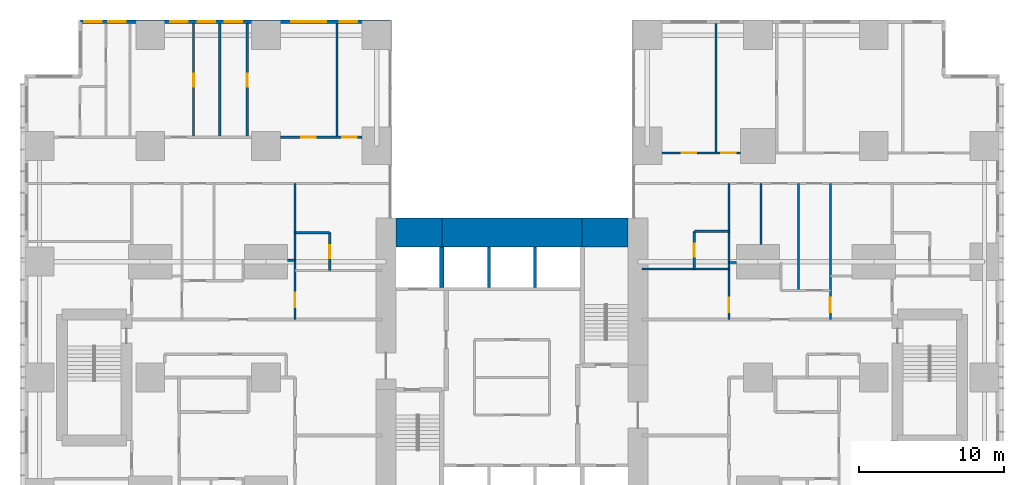
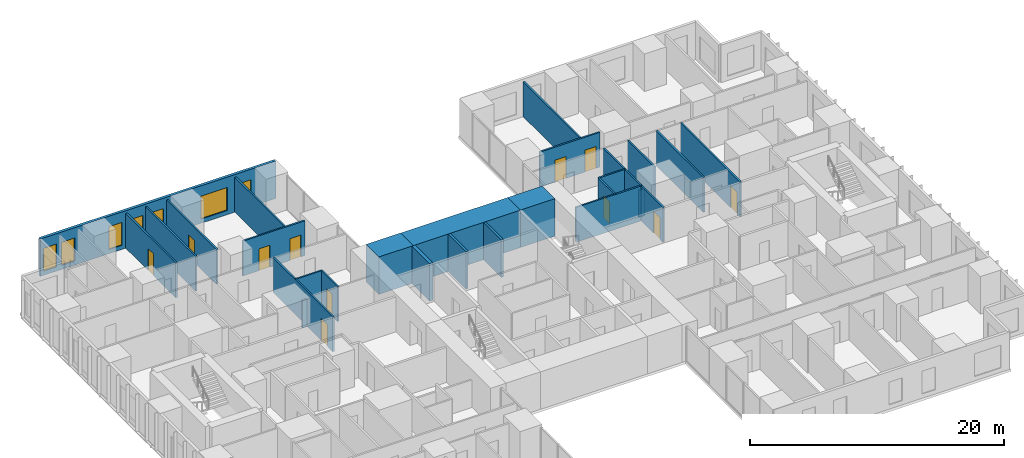
# One storey, part 17 of 20: 26 walls, 11 doors, 7 windows, 18 openings.
"""IFC4 building model written with IfcOpenShell, lengths in metres."""

from ifc_helpers import new_model, si_unit, direction, frame, frame_2d, origin, place, context, subcontext, project, spatial, rectangle, extrude, material, layer, layer_set, type_object, element, fill, save


model = new_model("IFC4")

# Units and contexts
model_context = context("Model", 3, precision=1e-05, world=origin(), true_north=direction((0.0, 1.0)))
body_context = subcontext(model_context, "Body", "Model", "MODEL_VIEW")
ifc_project = project(units=[si_unit("LENGTHUNIT", "METRE"), si_unit("AREAUNIT", "SQUARE_METRE"), si_unit("VOLUMEUNIT", "CUBIC_METRE"), si_unit("PLANEANGLEUNIT", "RADIAN"), si_unit("MASSUNIT", "GRAM", prefix="KILO")], contexts=[model_context])

# Site, building, storey
site_placement = place(None, origin())
site = spatial("IfcSite", under=ifc_project, at=site_placement, CompositionType="ELEMENT")
building_placement = place(site_placement, origin())
building = spatial("IfcBuilding", under=site, at=building_placement, Name="Cleftline Residences", CompositionType="ELEMENT")
storey_placement = place(building_placement, frame((0.0, 0.0, 117.800048828125)))
storey = spatial("IfcBuildingStorey", under=building, at=storey_placement, Name="L30", CompositionType="ELEMENT", Elevation=117.800048828125)

# Walls
ifc_material_1 = material(Name="Concrete B70", Category="concrete")
ifc_layer_1 = layer(ifc_material_1, 2.0)
ifc_layer_set_1 = layer_set([ifc_layer_1], Name="CORE WALL 2000")
wall_type_1 = type_object("IfcWallType", Name="CORE WALL 2000", PredefinedType="SHEAR", material=ifc_layer_set_1)
wall_1_placement = place(storey_placement, frame((25.0, 34.0, 0.0), z_axis=(0.0, 0.0, 1.0), x_axis=(1.0, 0.0, 0.0)))
element("IfcWall", 1, at=wall_1_placement, inside=storey, type_object=wall_type_1, Name="Core wall N1", PredefinedType="SHEAR", context=body_context, shape_type="SweptSolid", body=[
    extrude(rectangle(XDim=3.14990234375, YDim=2.0, at=frame_2d((1.574951171875, 0.0))), origin(), (0.0, 0.0, 1.0), 3.599853515625),
])
wall_2_placement = place(storey_placement, frame((28.14990234375, 34.0, 0.0), z_axis=(0.0, 0.0, 1.0), x_axis=(1.0, 0.0, 0.0)))
element("IfcWall", 2, at=wall_2_placement, inside=storey, type_object=wall_type_1, Name="Core wall N2", PredefinedType="SHEAR", context=body_context, shape_type="SweptSolid", body=[
    extrude(rectangle(XDim=9.7001953125, YDim=2.0, at=frame_2d((4.85009765625, 0.0))), origin(), (0.0, 0.0, 1.0), 3.599853515625),
])
wall_3_placement = place(storey_placement, frame((37.85009765625, 34.0, 0.0), z_axis=(0.0, 0.0, 1.0), x_axis=(1.0, 0.0, 0.0)))
element("IfcWall", 3, at=wall_3_placement, inside=storey, type_object=wall_type_1, Name="Core wall N3", PredefinedType="SHEAR", context=body_context, shape_type="SweptSolid", body=[
    extrude(rectangle(XDim=3.14990234375, YDim=2.0, at=frame_2d((1.574951171875, 0.0))), origin(), (0.0, 0.0, 1.0), 3.599853515625),
])
ifc_material_2 = material(Name="Concrete B70", Category="concrete")
ifc_layer_2 = layer(ifc_material_2, 0.300048828125)
ifc_layer_set_2 = layer_set([ifc_layer_2], Name="CORE WALL 300")
wall_type_2 = type_object("IfcWallType", Name="CORE WALL 300", PredefinedType="SHEAR", material=ifc_layer_set_2)
wall_4_placement = place(storey_placement, frame((28.14990234375, 30.199951171875, 0.0), z_axis=(0.0, 0.0, 1.0), x_axis=(0.0, 1.0, 0.0)))
element("IfcWall", 4, at=wall_4_placement, inside=storey, type_object=wall_type_2, Name="Lift shaft wall", PredefinedType="SHEAR", context=body_context, shape_type="SweptSolid", body=[
    extrude(rectangle(XDim=2.800048828125, YDim=0.300048828125, at=frame_2d((1.39990234375, 0.0))), origin(), (0.0, 0.0, 1.0), 3.599853515625),
])

# Wall, openings, windows
ifc_material_3 = material(Name="Rendered reinforced concrete blockwork", Category="masonry")
ifc_layer_3 = layer(ifc_material_3, 0.25)
ifc_layer_set_3 = layer_set([ifc_layer_3], Name="EXTERNAL WALL 250")
wall_type_3 = type_object("IfcWallType", Name="EXTERNAL WALL 250", PredefinedType="SOLIDWALL", material=ifc_layer_set_3)
wall_5_placement = place(storey_placement, frame((24.574951171875, 48.574951171875, 0.0), z_axis=(0.0, 0.0, 1.0), x_axis=(-1.0, 0.0, 0.0)))
wall_5 = element("IfcWall", 5, at=wall_5_placement, inside=storey, type_object=wall_type_3, Name="External wall", PredefinedType="SOLIDWALL", context=body_context, shape_type="SweptSolid", body=[
    extrude(rectangle(XDim=21.39990234375, YDim=0.25, at=frame_2d((10.699951171875, 0.0))), origin(), (0.0, 0.0, 1.0), 3.599853515625),
])
opening_1_placement = place(wall_5_placement, frame((2.27490234375, 0.0, 0.39990234375)))
opening_1 = element("IfcOpeningElement", 6, at=opening_1_placement, cuts=wall_5, Name="Opening W11", PredefinedType="OPENING", context=body_context, shape_type="SweptSolid", body=[
    extrude(rectangle(XDim=1.199951171875, YDim=2.199951171875, at=frame_2d((0.60009765625, 1.10009765625))), frame((0.0, 0.135009765625, 0.0), z_axis=(0.0, -1.0, 0.0), x_axis=(1.0, 0.0, 0.0)), (0.0, 0.0, 1.0), 0.27001953125),
])
opening_2_placement = place(wall_5_placement, frame((4.425048828125, 0.0, 0.39990234375)))
opening_2 = element("IfcOpeningElement", 7, at=opening_2_placement, cuts=wall_5, Name="Opening W12", PredefinedType="OPENING", context=body_context, shape_type="SweptSolid", body=[
    extrude(rectangle(XDim=2.39990234375, YDim=2.199951171875, at=frame_2d((1.199951171875, 1.10009765625))), frame((0.0, 0.135009765625, 0.0), z_axis=(0.0, -1.0, 0.0), x_axis=(1.0, 0.0, 0.0)), (0.0, 0.0, 1.0), 0.27001953125),
])
opening_3_placement = place(wall_5_placement, frame((10.22509765625, 0.0, 0.39990234375)))
opening_3 = element("IfcOpeningElement", 8, at=opening_3_placement, cuts=wall_5, Name="Opening W11", PredefinedType="OPENING", context=body_context, shape_type="SweptSolid", body=[
    extrude(rectangle(XDim=1.199951171875, YDim=2.199951171875, at=frame_2d((0.60009765625, 1.10009765625))), frame((0.0, 0.135009765625, 0.0), z_axis=(0.0, -1.0, 0.0), x_axis=(1.0, 0.0, 0.0)), (0.0, 0.0, 1.0), 0.27001953125),
])
opening_4_placement = place(wall_5_placement, frame((12.074951171875, 0.0, 0.39990234375)))
opening_4 = element("IfcOpeningElement", 9, at=opening_4_placement, cuts=wall_5, Name="Opening W11", PredefinedType="OPENING", context=body_context, shape_type="SweptSolid", body=[
    extrude(rectangle(XDim=1.199951171875, YDim=2.199951171875, at=frame_2d((0.60009765625, 1.10009765625))), frame((0.0, 0.135009765625, 0.0), z_axis=(0.0, -1.0, 0.0), x_axis=(1.0, 0.0, 0.0)), (0.0, 0.0, 1.0), 0.27001953125),
])
opening_5_placement = place(wall_5_placement, frame((13.97509765625, 0.0, 0.39990234375)))
opening_5 = element("IfcOpeningElement", 10, at=opening_5_placement, cuts=wall_5, Name="Opening W11", PredefinedType="OPENING", context=body_context, shape_type="SweptSolid", body=[
    extrude(rectangle(XDim=1.199951171875, YDim=2.199951171875, at=frame_2d((0.60009765625, 1.10009765625))), frame((0.0, 0.135009765625, 0.0), z_axis=(0.0, -1.0, 0.0), x_axis=(1.0, 0.0, 0.0)), (0.0, 0.0, 1.0), 0.27001953125),
])
opening_6_placement = place(wall_5_placement, frame((18.27490234375, 0.0, 0.39990234375)))
opening_6 = element("IfcOpeningElement", 11, at=opening_6_placement, cuts=wall_5, Name="Opening W11", PredefinedType="OPENING", context=body_context, shape_type="SweptSolid", body=[
    extrude(rectangle(XDim=1.199951171875, YDim=2.199951171875, at=frame_2d((0.60009765625, 1.10009765625))), frame((0.0, 0.135009765625, 0.0), z_axis=(0.0, -1.0, 0.0), x_axis=(1.0, 0.0, 0.0)), (0.0, 0.0, 1.0), 0.27001953125),
])
opening_7_placement = place(wall_5_placement, frame((19.925048828125, 0.0, 0.39990234375)))
opening_7 = element("IfcOpeningElement", 12, at=opening_7_placement, cuts=wall_5, Name="Opening W11", PredefinedType="OPENING", context=body_context, shape_type="SweptSolid", body=[
    extrude(rectangle(XDim=1.199951171875, YDim=2.199951171875, at=frame_2d((0.60009765625, 1.10009765625))), frame((0.0, 0.135009765625, 0.0), z_axis=(0.0, -1.0, 0.0), x_axis=(1.0, 0.0, 0.0)), (0.0, 0.0, 1.0), 0.27001953125),
])
ifc_material_4 = material(Name="Aluminium frame, clear double glazing", Category="aluminium")
window_type_1 = type_object("IfcWindowType", Name="WINDOW 1200X2200", PartitioningType="DOUBLE_PANEL_VERTICAL", PredefinedType="WINDOW", material=ifc_material_4)
window_1_placement = place(opening_1_placement, origin())
window_1 = element("IfcWindow", 13, at=window_1_placement, inside=storey, type_object=window_type_1, Name="Window", OverallHeight=2.199951171875, OverallWidth=1.199951171875, PartitioningType="SINGLE_PANEL", PredefinedType="WINDOW", context=body_context, shape_type="SweptSolid", body=[
    extrude(rectangle(XDim=1.199951171875, YDim=2.199951171875, at=frame_2d((0.60009765625, 1.10009765625))), frame((0.0, 0.030029296875, 0.0), z_axis=(0.0, -1.0, 0.0), x_axis=(1.0, 0.0, 0.0)), (0.0, 0.0, 1.0), 0.06005859375),
])
fill(opening_1, window_1)
window_2_placement = place(opening_3_placement, origin())
window_2 = element("IfcWindow", 14, at=window_2_placement, inside=storey, type_object=window_type_1, Name="Window", OverallHeight=2.199951171875, OverallWidth=1.199951171875, PartitioningType="SINGLE_PANEL", PredefinedType="WINDOW", context=body_context, shape_type="SweptSolid", body=[
    extrude(rectangle(XDim=1.199951171875, YDim=2.199951171875, at=frame_2d((0.60009765625, 1.10009765625))), frame((0.0, 0.030029296875, 0.0), z_axis=(0.0, -1.0, 0.0), x_axis=(1.0, 0.0, 0.0)), (0.0, 0.0, 1.0), 0.06005859375),
])
fill(opening_3, window_2)
window_3_placement = place(opening_4_placement, origin())
window_3 = element("IfcWindow", 15, at=window_3_placement, inside=storey, type_object=window_type_1, Name="Window", OverallHeight=2.199951171875, OverallWidth=1.199951171875, PartitioningType="SINGLE_PANEL", PredefinedType="WINDOW", context=body_context, shape_type="SweptSolid", body=[
    extrude(rectangle(XDim=1.199951171875, YDim=2.199951171875, at=frame_2d((0.60009765625, 1.10009765625))), frame((0.0, 0.030029296875, 0.0), z_axis=(0.0, -1.0, 0.0), x_axis=(1.0, 0.0, 0.0)), (0.0, 0.0, 1.0), 0.06005859375),
])
fill(opening_4, window_3)
window_4_placement = place(opening_5_placement, origin())
window_4 = element("IfcWindow", 16, at=window_4_placement, inside=storey, type_object=window_type_1, Name="Window", OverallHeight=2.199951171875, OverallWidth=1.199951171875, PartitioningType="SINGLE_PANEL", PredefinedType="WINDOW", context=body_context, shape_type="SweptSolid", body=[
    extrude(rectangle(XDim=1.199951171875, YDim=2.199951171875, at=frame_2d((0.60009765625, 1.10009765625))), frame((0.0, 0.030029296875, 0.0), z_axis=(0.0, -1.0, 0.0), x_axis=(1.0, 0.0, 0.0)), (0.0, 0.0, 1.0), 0.06005859375),
])
fill(opening_5, window_4)
window_5_placement = place(opening_6_placement, origin())
window_5 = element("IfcWindow", 17, at=window_5_placement, inside=storey, type_object=window_type_1, Name="Window", OverallHeight=2.199951171875, OverallWidth=1.199951171875, PartitioningType="SINGLE_PANEL", PredefinedType="WINDOW", context=body_context, shape_type="SweptSolid", body=[
    extrude(rectangle(XDim=1.199951171875, YDim=2.199951171875, at=frame_2d((0.60009765625, 1.10009765625))), frame((0.0, 0.030029296875, 0.0), z_axis=(0.0, -1.0, 0.0), x_axis=(1.0, 0.0, 0.0)), (0.0, 0.0, 1.0), 0.06005859375),
])
fill(opening_6, window_5)
window_6_placement = place(opening_7_placement, origin())
window_6 = element("IfcWindow", 18, at=window_6_placement, inside=storey, type_object=window_type_1, Name="Window", OverallHeight=2.199951171875, OverallWidth=1.199951171875, PartitioningType="SINGLE_PANEL", PredefinedType="WINDOW", context=body_context, shape_type="SweptSolid", body=[
    extrude(rectangle(XDim=1.199951171875, YDim=2.199951171875, at=frame_2d((0.60009765625, 1.10009765625))), frame((0.0, 0.030029296875, 0.0), z_axis=(0.0, -1.0, 0.0), x_axis=(1.0, 0.0, 0.0)), (0.0, 0.0, 1.0), 0.06005859375),
])
fill(opening_7, window_6)
ifc_material_5 = material(Name="Aluminium frame, clear double glazing", Category="aluminium")
window_type_2 = type_object("IfcWindowType", Name="WINDOW 2400X2200", PartitioningType="DOUBLE_PANEL_VERTICAL", PredefinedType="WINDOW", material=ifc_material_5)
window_7_placement = place(opening_2_placement, origin())
window_7 = element("IfcWindow", 19, at=window_7_placement, inside=storey, type_object=window_type_2, Name="Window", OverallHeight=2.199951171875, OverallWidth=2.39990234375, PartitioningType="SINGLE_PANEL", PredefinedType="WINDOW", context=body_context, shape_type="SweptSolid", body=[
    extrude(rectangle(XDim=2.39990234375, YDim=2.199951171875, at=frame_2d((1.199951171875, 1.10009765625))), frame((0.0, 0.030029296875, 0.0), z_axis=(0.0, -1.0, 0.0), x_axis=(1.0, 0.0, 0.0)), (0.0, 0.0, 1.0), 0.06005859375),
])
fill(opening_2, window_7)

# Walls
ifc_material_6 = material(Name="Gypsum board on steel studs", Category="steel")
ifc_layer_4 = layer(ifc_material_6, 0.14990234375)
ifc_layer_set_4 = layer_set([ifc_layer_4], Name="PARTITION 150")
wall_type_4 = type_object("IfcWallType", Name="PARTITION 150", PredefinedType="PARTITIONING", material=ifc_layer_set_4)
wall_6_placement = place(storey_placement, frame((42.0, 31.5, 0.0), z_axis=(0.0, 0.0, 1.0), x_axis=(1.0, 0.0, 0.0)))
element("IfcWall", 20, at=wall_6_placement, inside=storey, type_object=wall_type_4, Name="Partition", PredefinedType="PARTITIONING", context=body_context, shape_type="SweptSolid", body=[
    extrude(rectangle(XDim=6.0, YDim=0.14990234375, at=frame_2d((3.0, 0.0))), origin(), (0.0, 0.0, 1.0), 3.349853515625),
])
for number, where, z_axis, x_axis, name in (
    (21, (48.0, 31.949951171875, 0.0), (0.0, 0.0, 1.0), (1.0, 0.0, 0.0), "Partition"),
    (22, (17.5, 32.10009765625, 0.0), (0.0, 0.0, 1.0), (1.0, 0.0, 0.0), "Partition"),
):
    element("IfcWall", number, at=place(storey_placement, frame(where, z_axis=z_axis, x_axis=x_axis)), inside=storey, type_object=wall_type_4, Name=name, PredefinedType="PARTITIONING", context=body_context, shape_type="SweptSolid", body=[
        extrude(rectangle(XDim=0.5, YDim=0.14990234375, at=frame_2d((0.25, 0.0))), origin(), (0.0, 0.0, 1.0), 2.634033203125),
    ])
for number, where, z_axis, x_axis, name in (
    (23, (18.0, 34.0, 0.0), (0.0, 0.0, 1.0), (1.0, 0.0, 0.0), "Partition"),
    (24, (45.60009765625, 34.10009765625, 0.0), (0.0, 0.0, 1.0), (1.0, 0.0, 0.0), "Partition"),
):
    element("IfcWall", number, at=place(storey_placement, frame(where, z_axis=z_axis, x_axis=x_axis)), inside=storey, type_object=wall_type_4, Name=name, PredefinedType="PARTITIONING", context=body_context, shape_type="SweptSolid", body=[
        extrude(rectangle(XDim=2.39990234375, YDim=0.14990234375, at=frame_2d((1.199951171875, 0.0))), origin(), (0.0, 0.0, 1.0), 3.349853515625),
    ])

# Wall, openings, doors
wall_7_placement = place(storey_placement, frame((43.35009765625, 39.5, 0.0), z_axis=(0.0, 0.0, 1.0), x_axis=(1.0, 0.0, 0.0)))
wall_7 = element("IfcWall", 25, at=wall_7_placement, inside=storey, type_object=wall_type_4, Name="Partition", PredefinedType="PARTITIONING", context=body_context, shape_type="SweptSolid", body=[
    extrude(rectangle(XDim=5.449951171875, YDim=0.14990234375, at=frame_2d((2.72509765625, 0.0))), origin(), (0.0, 0.0, 1.0), 3.349853515625),
])
opening_8_placement = place(wall_7_placement, frame((4.10009765625, 0.0, 0.0)))
opening_8 = element("IfcOpeningElement", 26, at=opening_8_placement, cuts=wall_7, Name="Opening D2", PredefinedType="OPENING", context=body_context, shape_type="SweptSolid", body=[
    extrude(rectangle(XDim=1.0, YDim=2.10009765625, at=frame_2d((0.5, 1.050048828125))), frame((0.0, 0.0849609375, 0.0), z_axis=(0.0, -1.0, 0.0), x_axis=(1.0, 0.0, 0.0)), (0.0, 0.0, 1.0), 0.169921875),
])
opening_9_placement = place(wall_7_placement, frame((1.375, 0.0, 0.0)))
opening_9 = element("IfcOpeningElement", 27, at=opening_9_placement, cuts=wall_7, Name="Opening D2", PredefinedType="OPENING", context=body_context, shape_type="SweptSolid", body=[
    extrude(rectangle(XDim=1.0, YDim=2.10009765625, at=frame_2d((0.5, 1.050048828125))), frame((0.0, 0.0849609375, 0.0), z_axis=(0.0, -1.0, 0.0), x_axis=(1.0, 0.0, 0.0)), (0.0, 0.0, 1.0), 0.169921875),
])
ifc_material_7 = material(Name="Timber veneer on solid core", Category="wood")
door_type_1 = type_object("IfcDoorType", Name="DOOR 1000X2100", OperationType="SINGLE_SWING_LEFT", PredefinedType="DOOR", material=ifc_material_7)
door_1_placement = place(opening_8_placement, origin())
door_1 = element("IfcDoor", 28, at=door_1_placement, inside=storey, type_object=door_type_1, Name="Door to bedroom 2", OperationType="SINGLE_SWING_LEFT", OverallHeight=2.10009765625, OverallWidth=1.0, PredefinedType="DOOR", context=body_context, shape_type="SweptSolid", body=[
    extrude(rectangle(XDim=1.0, YDim=2.10009765625, at=frame_2d((0.5, 1.050048828125))), frame((0.0, 0.02490234375, 0.0), z_axis=(0.0, -1.0, 0.0), x_axis=(1.0, 0.0, 0.0)), (0.0, 0.0, 1.0), 0.050048828125),
])
fill(opening_8, door_1)
door_2_placement = place(opening_9_placement, origin())
door_2 = element("IfcDoor", 29, at=door_2_placement, inside=storey, type_object=door_type_1, Name="Door to bedroom 2 sitting room", OperationType="SINGLE_SWING_RIGHT", OverallHeight=2.10009765625, OverallWidth=1.0, PredefinedType="DOOR", context=body_context, shape_type="SweptSolid", body=[
    extrude(rectangle(XDim=1.0, YDim=2.10009765625, at=frame_2d((0.5, 1.050048828125))), frame((0.0, 0.02490234375, 0.0), z_axis=(0.0, -1.0, 0.0), x_axis=(1.0, 0.0, 0.0)), (0.0, 0.0, 1.0), 0.050048828125),
])
fill(opening_9, door_2)

wall_8_placement = place(storey_placement, frame((17.0, 40.60009765625, 0.0), z_axis=(0.0, 0.0, 1.0), x_axis=(1.0, 0.0, 0.0)))
wall_8 = element("IfcWall", 30, at=wall_8_placement, inside=storey, type_object=wall_type_4, Name="Partition", PredefinedType="PARTITIONING", context=body_context, shape_type="SweptSolid", body=[
    extrude(rectangle(XDim=5.64990234375, YDim=0.14990234375, at=frame_2d((2.824951171875, 0.0))), origin(), (0.0, 0.0, 1.0), 3.349853515625),
])
opening_10_placement = place(wall_8_placement, frame((1.449951171875, 0.0, 0.0)))
opening_10 = element("IfcOpeningElement", 31, at=opening_10_placement, cuts=wall_8, Name="Opening D2", PredefinedType="OPENING", context=body_context, shape_type="SweptSolid", body=[
    extrude(rectangle(XDim=1.0, YDim=2.10009765625, at=frame_2d((0.5, 1.050048828125))), frame((0.0, 0.0849609375, 0.0), z_axis=(0.0, -1.0, 0.0), x_axis=(1.0, 0.0, 0.0)), (0.0, 0.0, 1.0), 0.169921875),
])
opening_11_placement = place(wall_8_placement, frame((4.27490234375, 0.0, 0.0)))
opening_11 = element("IfcOpeningElement", 32, at=opening_11_placement, cuts=wall_8, Name="Opening D2", PredefinedType="OPENING", context=body_context, shape_type="SweptSolid", body=[
    extrude(rectangle(XDim=1.0, YDim=2.10009765625, at=frame_2d((0.5, 1.050048828125))), frame((0.0, 0.0849609375, 0.0), z_axis=(0.0, -1.0, 0.0), x_axis=(1.0, 0.0, 0.0)), (0.0, 0.0, 1.0), 0.169921875),
])
door_3_placement = place(opening_10_placement, origin())
door_3 = element("IfcDoor", 33, at=door_3_placement, inside=storey, type_object=door_type_1, Name="Door to master bedroom", OperationType="SINGLE_SWING_RIGHT", OverallHeight=2.10009765625, OverallWidth=1.0, PredefinedType="DOOR", context=body_context, shape_type="SweptSolid", body=[
    extrude(rectangle(XDim=1.0, YDim=2.10009765625, at=frame_2d((0.5, 1.050048828125))), frame((0.0, 0.02490234375, 0.0), z_axis=(0.0, -1.0, 0.0), x_axis=(1.0, 0.0, 0.0)), (0.0, 0.0, 1.0), 0.050048828125),
])
fill(opening_10, door_3)
door_4_placement = place(opening_11_placement, origin())
door_4 = element("IfcDoor", 34, at=door_4_placement, inside=storey, type_object=door_type_1, Name="Door to master sitting room", OperationType="SINGLE_SWING_LEFT", OverallHeight=2.10009765625, OverallWidth=1.0, PredefinedType="DOOR", context=body_context, shape_type="SweptSolid", body=[
    extrude(rectangle(XDim=1.0, YDim=2.10009765625, at=frame_2d((0.5, 1.050048828125))), frame((0.0, 0.02490234375, 0.0), z_axis=(0.0, -1.0, 0.0), x_axis=(1.0, 0.0, 0.0)), (0.0, 0.0, 1.0), 0.050048828125),
])
fill(opening_11, door_4)

# Wall, opening, door
wall_9_placement = place(storey_placement, frame((11.0, 40.60009765625, 0.0), z_axis=(0.0, 0.0, 1.0), x_axis=(0.0, 1.0, 0.0)))
wall_9 = element("IfcWall", 35, at=wall_9_placement, inside=storey, type_object=wall_type_4, Name="Partition", PredefinedType="PARTITIONING", context=body_context, shape_type="SweptSolid", body=[
    extrude(rectangle(XDim=7.849853515625, YDim=0.14990234375, at=frame_2d((3.9248046875, 0.0))), origin(), (0.0, 0.0, 1.0), 3.349853515625),
])
opening_12_placement = place(wall_9_placement, frame((3.47509765625, 0.0, 0.0)))
opening_12 = element("IfcOpeningElement", 36, at=opening_12_placement, cuts=wall_9, Name="Opening D1", PredefinedType="OPENING", context=body_context, shape_type="SweptSolid", body=[
    extrude(rectangle(XDim=0.89990234375, YDim=2.10009765625, at=frame_2d((0.449951171875, 1.050048828125))), frame((0.0, 0.0849609375, 0.0), z_axis=(0.0, -1.0, 0.0), x_axis=(1.0, 0.0, 0.0)), (0.0, 0.0, 1.0), 0.169921875),
])
ifc_material_8 = material(Name="Timber veneer on solid core", Category="wood")
door_type_2 = type_object("IfcDoorType", Name="DOOR 900X2100", OperationType="SINGLE_SWING_LEFT", PredefinedType="DOOR", material=ifc_material_8)
door_5_placement = place(opening_12_placement, origin())
door_5 = element("IfcDoor", 37, at=door_5_placement, inside=storey, type_object=door_type_2, Name="Door to en-suite bathroom 3", OperationType="SINGLE_SWING_LEFT", OverallHeight=2.10009765625, OverallWidth=0.89990234375, PredefinedType="DOOR", context=body_context, shape_type="SweptSolid", body=[
    extrude(rectangle(XDim=0.89990234375, YDim=2.10009765625, at=frame_2d((0.449951171875, 1.050048828125))), frame((0.0, 0.02490234375, 0.0), z_axis=(0.0, -1.0, 0.0), x_axis=(1.0, 0.0, 0.0)), (0.0, 0.0, 1.0), 0.050048828125),
])
fill(opening_12, door_5)

# Wall
wall_10_placement = place(storey_placement, frame((12.800048828125, 40.60009765625, 0.0), z_axis=(0.0, 0.0, 1.0), x_axis=(0.0, 1.0, 0.0)))
element("IfcWall", 38, at=wall_10_placement, inside=storey, type_object=wall_type_4, Name="Partition", PredefinedType="PARTITIONING", context=body_context, shape_type="SweptSolid", body=[
    extrude(rectangle(XDim=7.849853515625, YDim=0.14990234375, at=frame_2d((3.9248046875, 0.0))), origin(), (0.0, 0.0, 1.0), 3.349853515625),
])

# Wall, opening, door
wall_11_placement = place(storey_placement, frame((14.699951171875, 40.60009765625, 0.0), z_axis=(0.0, 0.0, 1.0), x_axis=(0.0, 1.0, 0.0)))
wall_11 = element("IfcWall", 39, at=wall_11_placement, inside=storey, type_object=wall_type_4, Name="Partition", PredefinedType="PARTITIONING", context=body_context, shape_type="SweptSolid", body=[
    extrude(rectangle(XDim=7.849853515625, YDim=0.14990234375, at=frame_2d((3.9248046875, 0.0))), origin(), (0.0, 0.0, 1.0), 3.349853515625),
])
opening_13_placement = place(wall_11_placement, frame((3.47509765625, 0.0, 0.0)))
opening_13 = element("IfcOpeningElement", 40, at=opening_13_placement, cuts=wall_11, Name="Opening D1", PredefinedType="OPENING", context=body_context, shape_type="SweptSolid", body=[
    extrude(rectangle(XDim=0.89990234375, YDim=2.10009765625, at=frame_2d((0.449951171875, 1.050048828125))), frame((0.0, 0.0849609375, 0.0), z_axis=(0.0, -1.0, 0.0), x_axis=(1.0, 0.0, 0.0)), (0.0, 0.0, 1.0), 0.169921875),
])
door_6_placement = place(opening_13_placement, origin())
door_6 = element("IfcDoor", 41, at=door_6_placement, inside=storey, type_object=door_type_2, Name="Door to master bathroom", OperationType="SINGLE_SWING_LEFT", OverallHeight=2.10009765625, OverallWidth=0.89990234375, PredefinedType="DOOR", context=body_context, shape_type="SweptSolid", body=[
    extrude(rectangle(XDim=0.89990234375, YDim=2.10009765625, at=frame_2d((0.449951171875, 1.050048828125))), frame((0.0, 0.02490234375, 0.0), z_axis=(0.0, -1.0, 0.0), x_axis=(1.0, 0.0, 0.0)), (0.0, 0.0, 1.0), 0.050048828125),
])
fill(opening_13, door_6)

wall_12_placement = place(storey_placement, frame((18.0, 28.0, 0.0), z_axis=(0.0, 0.0, 1.0), x_axis=(0.0, 1.0, 0.0)))
wall_12 = element("IfcWall", 42, at=wall_12_placement, inside=storey, type_object=wall_type_4, Name="Partition", PredefinedType="PARTITIONING", context=body_context, shape_type="SweptSolid", body=[
    extrude(rectangle(XDim=9.39990234375, YDim=0.14990234375, at=frame_2d((4.699951171875, 0.0))), origin(), (0.0, 0.0, 1.0), 3.349853515625),
])
opening_14_placement = place(wall_12_placement, frame((0.83740234375, 0.0, 0.0)))
opening_14 = element("IfcOpeningElement", 43, at=opening_14_placement, cuts=wall_12, Name="Opening D2", PredefinedType="OPENING", context=body_context, shape_type="SweptSolid", body=[
    extrude(rectangle(XDim=1.0, YDim=2.10009765625, at=frame_2d((0.5, 1.050048828125))), frame((0.0, 0.0849609375, 0.0), z_axis=(0.0, -1.0, 0.0), x_axis=(1.0, 0.0, 0.0)), (0.0, 0.0, 1.0), 0.169921875),
])
door_7_placement = place(opening_14_placement, origin())
door_7 = element("IfcDoor", 44, at=door_7_placement, inside=storey, type_object=door_type_1, Name="Door to morning kitchen", OperationType="SINGLE_SWING_RIGHT", OverallHeight=2.10009765625, OverallWidth=1.0, PredefinedType="DOOR", context=body_context, shape_type="SweptSolid", body=[
    extrude(rectangle(XDim=1.0, YDim=2.10009765625, at=frame_2d((0.5, 1.050048828125))), frame((0.0, 0.02490234375, 0.0), z_axis=(0.0, -1.0, 0.0), x_axis=(1.0, 0.0, 0.0)), (0.0, 0.0, 1.0), 0.050048828125),
])
fill(opening_14, door_7)

wall_13_placement = place(storey_placement, frame((20.39990234375, 31.39990234375, 0.0), z_axis=(0.0, 0.0, 1.0), x_axis=(0.0, 1.0, 0.0)))
wall_13 = element("IfcWall", 45, at=wall_13_placement, inside=storey, type_object=wall_type_4, Name="Partition", PredefinedType="PARTITIONING", context=body_context, shape_type="SweptSolid", body=[
    extrude(rectangle(XDim=2.60009765625, YDim=0.14990234375, at=frame_2d((1.300048828125, 0.0))), origin(), (0.0, 0.0, 1.0), 3.349853515625),
])
opening_15_placement = place(wall_13_placement, frame((0.85009765625, 0.0, 0.0)))
opening_15 = element("IfcOpeningElement", 46, at=opening_15_placement, cuts=wall_13, Name="Opening D1", PredefinedType="OPENING", context=body_context, shape_type="SweptSolid", body=[
    extrude(rectangle(XDim=0.89990234375, YDim=2.10009765625, at=frame_2d((0.449951171875, 1.050048828125))), frame((0.0, 0.0849609375, 0.0), z_axis=(0.0, -1.0, 0.0), x_axis=(1.0, 0.0, 0.0)), (0.0, 0.0, 1.0), 0.169921875),
])
door_8_placement = place(opening_15_placement, origin())
door_8 = element("IfcDoor", 47, at=door_8_placement, inside=storey, type_object=door_type_2, Name="Door to en-suite bathroom 4", OperationType="SINGLE_SWING_LEFT", OverallHeight=2.10009765625, OverallWidth=0.89990234375, PredefinedType="DOOR", context=body_context, shape_type="SweptSolid", body=[
    extrude(rectangle(XDim=0.89990234375, YDim=2.10009765625, at=frame_2d((0.449951171875, 1.050048828125))), frame((0.0, 0.02490234375, 0.0), z_axis=(0.0, -1.0, 0.0), x_axis=(1.0, 0.0, 0.0)), (0.0, 0.0, 1.0), 0.050048828125),
])
fill(opening_15, door_8)

# Wall
wall_14_placement = place(storey_placement, frame((20.89990234375, 40.60009765625, 0.0), z_axis=(0.0, 0.0, 1.0), x_axis=(0.0, 1.0, 0.0)))
element("IfcWall", 48, at=wall_14_placement, inside=storey, type_object=wall_type_4, Name="Partition", PredefinedType="PARTITIONING", context=body_context, shape_type="SweptSolid", body=[
    extrude(rectangle(XDim=7.849853515625, YDim=0.14990234375, at=frame_2d((3.9248046875, 0.0))), origin(), (0.0, 0.0, 1.0), 3.349853515625),
])

# Wall, opening, door
wall_15_placement = place(storey_placement, frame((45.60009765625, 31.5, 0.0), z_axis=(0.0, 0.0, 1.0), x_axis=(0.0, 1.0, 0.0)))
wall_15 = element("IfcWall", 49, at=wall_15_placement, inside=storey, type_object=wall_type_4, Name="Partition", PredefinedType="PARTITIONING", context=body_context, shape_type="SweptSolid", body=[
    extrude(rectangle(XDim=2.60009765625, YDim=0.14990234375, at=frame_2d((1.300048828125, 0.0))), origin(), (0.0, 0.0, 1.0), 3.349853515625),
])
opening_16_placement = place(wall_15_placement, frame((0.85009765625, 0.0, 0.0)))
opening_16 = element("IfcOpeningElement", 50, at=opening_16_placement, cuts=wall_15, Name="Opening D1", PredefinedType="OPENING", context=body_context, shape_type="SweptSolid", body=[
    extrude(rectangle(XDim=0.89990234375, YDim=2.10009765625, at=frame_2d((0.449951171875, 1.050048828125))), frame((0.0, 0.0849609375, 0.0), z_axis=(0.0, -1.0, 0.0), x_axis=(1.0, 0.0, 0.0)), (0.0, 0.0, 1.0), 0.169921875),
])
door_9_placement = place(opening_16_placement, origin())
door_9 = element("IfcDoor", 51, at=door_9_placement, inside=storey, type_object=door_type_2, Name="Door to en-suite bathroom 3", OperationType="SINGLE_SWING_LEFT", OverallHeight=2.10009765625, OverallWidth=0.89990234375, PredefinedType="DOOR", context=body_context, shape_type="SweptSolid", body=[
    extrude(rectangle(XDim=0.89990234375, YDim=2.10009765625, at=frame_2d((0.449951171875, 1.050048828125))), frame((0.0, 0.02490234375, 0.0), z_axis=(0.0, -1.0, 0.0), x_axis=(1.0, 0.0, 0.0)), (0.0, 0.0, 1.0), 0.050048828125),
])
fill(opening_16, door_9)

# Wall
wall_16_placement = place(storey_placement, frame((47.10009765625, 39.5, 0.0), z_axis=(0.0, 0.0, 1.0), x_axis=(0.0, 1.0, 0.0)))
element("IfcWall", 52, at=wall_16_placement, inside=storey, type_object=wall_type_4, Name="Partition", PredefinedType="PARTITIONING", context=body_context, shape_type="SweptSolid", body=[
    extrude(rectangle(XDim=8.949951171875, YDim=0.14990234375, at=frame_2d((4.47509765625, 0.0))), origin(), (0.0, 0.0, 1.0), 3.349853515625),
])

# Wall, opening, door
wall_17_placement = place(storey_placement, frame((48.0, 28.0, 0.0), z_axis=(0.0, 0.0, 1.0), x_axis=(0.0, 1.0, 0.0)))
wall_17 = element("IfcWall", 53, at=wall_17_placement, inside=storey, type_object=wall_type_4, Name="Partition", PredefinedType="PARTITIONING", context=body_context, shape_type="SweptSolid", body=[
    extrude(rectangle(XDim=9.39990234375, YDim=0.14990234375, at=frame_2d((4.699951171875, 0.0))), origin(), (0.0, 0.0, 1.0), 3.349853515625),
])
opening_17_placement = place(wall_17_placement, frame((0.5, 0.0, 0.0)))
opening_17 = element("IfcOpeningElement", 54, at=opening_17_placement, cuts=wall_17, Name="Opening D2", PredefinedType="OPENING", context=body_context, shape_type="SweptSolid", body=[
    extrude(rectangle(XDim=1.0, YDim=2.10009765625, at=frame_2d((0.5, 1.050048828125))), frame((0.0, 0.0849609375, 0.0), z_axis=(0.0, -1.0, 0.0), x_axis=(1.0, 0.0, 0.0)), (0.0, 0.0, 1.0), 0.169921875),
])
door_10_placement = place(opening_17_placement, origin())
door_10 = element("IfcDoor", 55, at=door_10_placement, inside=storey, type_object=door_type_1, Name="Door to wet kitchen", OperationType="SINGLE_SWING_RIGHT", OverallHeight=2.10009765625, OverallWidth=1.0, PredefinedType="DOOR", context=body_context, shape_type="SweptSolid", body=[
    extrude(rectangle(XDim=1.0, YDim=2.10009765625, at=frame_2d((0.5, 1.050048828125))), frame((0.0, 0.02490234375, 0.0), z_axis=(0.0, -1.0, 0.0), x_axis=(1.0, 0.0, 0.0)), (0.0, 0.0, 1.0), 0.050048828125),
])
fill(opening_17, door_10)

# Walls
wall_18_placement = place(storey_placement, frame((50.199951171875, 33.199951171875, 0.0), z_axis=(0.0, 0.0, 1.0), x_axis=(0.0, 1.0, 0.0)))
element("IfcWall", 56, at=wall_18_placement, inside=storey, type_object=wall_type_4, Name="Partition", PredefinedType="PARTITIONING", context=body_context, shape_type="SweptSolid", body=[
    extrude(rectangle(XDim=4.199951171875, YDim=0.14990234375, at=frame_2d((2.10009765625, 0.0))), origin(), (0.0, 0.0, 1.0), 3.349853515625),
])
wall_19_placement = place(storey_placement, frame((52.800048828125, 30.0, 0.0), z_axis=(0.0, 0.0, 1.0), x_axis=(0.0, 1.0, 0.0)))
element("IfcWall", 57, at=wall_19_placement, inside=storey, type_object=wall_type_4, Name="Partition", PredefinedType="PARTITIONING", context=body_context, shape_type="SweptSolid", body=[
    extrude(rectangle(XDim=7.39990234375, YDim=0.14990234375, at=frame_2d((3.699951171875, 0.0))), origin(), (0.0, 0.0, 1.0), 3.349853515625),
])

# Wall, opening, door
wall_20_placement = place(storey_placement, frame((55.0, 28.0, 0.0), z_axis=(0.0, 0.0, 1.0), x_axis=(0.0, 1.0, 0.0)))
wall_20 = element("IfcWall", 58, at=wall_20_placement, inside=storey, type_object=wall_type_4, Name="Partition", PredefinedType="PARTITIONING", context=body_context, shape_type="SweptSolid", body=[
    extrude(rectangle(XDim=9.39990234375, YDim=0.14990234375, at=frame_2d((4.699951171875, 0.0))), origin(), (0.0, 0.0, 1.0), 3.349853515625),
])
opening_18_placement = place(wall_20_placement, frame((0.5, 0.0, 0.0)))
opening_18 = element("IfcOpeningElement", 59, at=opening_18_placement, cuts=wall_20, Name="Opening D2F30", PredefinedType="OPENING", context=body_context, shape_type="SweptSolid", body=[
    extrude(rectangle(XDim=1.0, YDim=2.10009765625, at=frame_2d((0.5, 1.050048828125))), frame((0.0, 0.0849609375, 0.0), z_axis=(0.0, -1.0, 0.0), x_axis=(1.0, 0.0, 0.0)), (0.0, 0.0, 1.0), 0.169921875),
])
ifc_material_9 = material(Name="Timber veneer on solid core", Category="wood")
door_type_3 = type_object("IfcDoorType", Name="DOOR 1000X2100 EI 30", OperationType="SINGLE_SWING_LEFT", PredefinedType="DOOR", material=ifc_material_9)
door_11_placement = place(opening_18_placement, origin())
door_11 = element("IfcDoor", 60, at=door_11_placement, inside=storey, type_object=door_type_3, Name="Door to residence lobby", OperationType="SINGLE_SWING_RIGHT", OverallHeight=2.10009765625, OverallWidth=1.0, PredefinedType="DOOR", context=body_context, shape_type="SweptSolid", body=[
    extrude(rectangle(XDim=1.0, YDim=2.10009765625, at=frame_2d((0.5, 1.050048828125))), frame((0.0, 0.02490234375, 0.0), z_axis=(0.0, -1.0, 0.0), x_axis=(1.0, 0.0, 0.0)), (0.0, 0.0, 1.0), 0.050048828125),
])
fill(opening_18, door_11)

# Walls
ifc_material_10 = material(Name="Concrete blockwork, fire rated", Category="masonry")
ifc_layer_5 = layer(ifc_material_10, 0.199951171875)
ifc_layer_set_5 = layer_set([ifc_layer_5], Name="SHAFT WALL 200")
wall_type_5 = type_object("IfcWallType", Name="SHAFT WALL 200", PredefinedType="PARTITIONING", material=ifc_layer_set_5)
for number, where, z_axis, x_axis, name in (
    (61, (31.39990234375, 30.199951171875, 0.0), (0.0, 0.0, 1.0), (0.0, 1.0, 0.0), "Lift shaft wall"),
    (62, (34.60009765625, 30.199951171875, 0.0), (0.0, 0.0, 1.0), (0.0, 1.0, 0.0), "Lift shaft wall"),
):
    element("IfcWall", number, at=place(storey_placement, frame(where, z_axis=z_axis, x_axis=x_axis)), inside=storey, type_object=wall_type_5, Name=name, PredefinedType="PARTITIONING", context=body_context, shape_type="SweptSolid", body=[
        extrude(rectangle(XDim=2.800048828125, YDim=0.199951171875, at=frame_2d((1.39990234375, 0.0))), origin(), (0.0, 0.0, 1.0), 3.599853515625),
    ])

save(model, "model.ifc")
